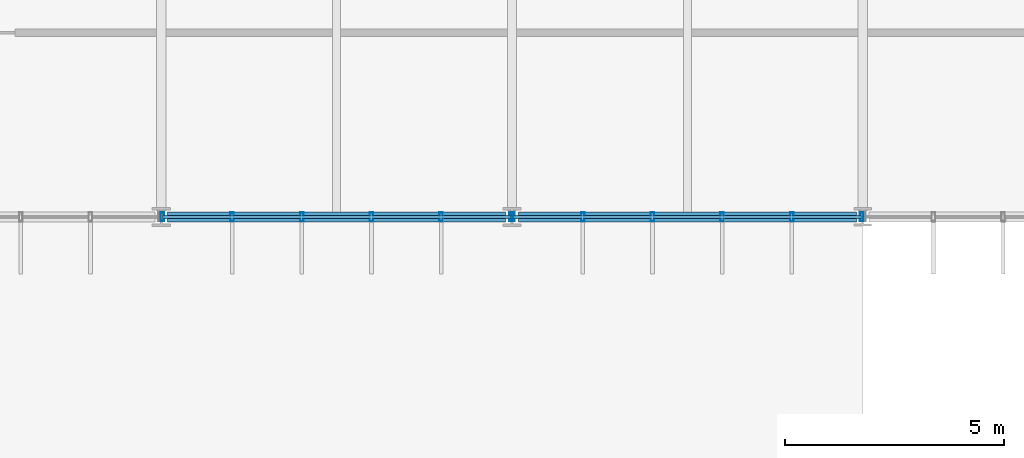
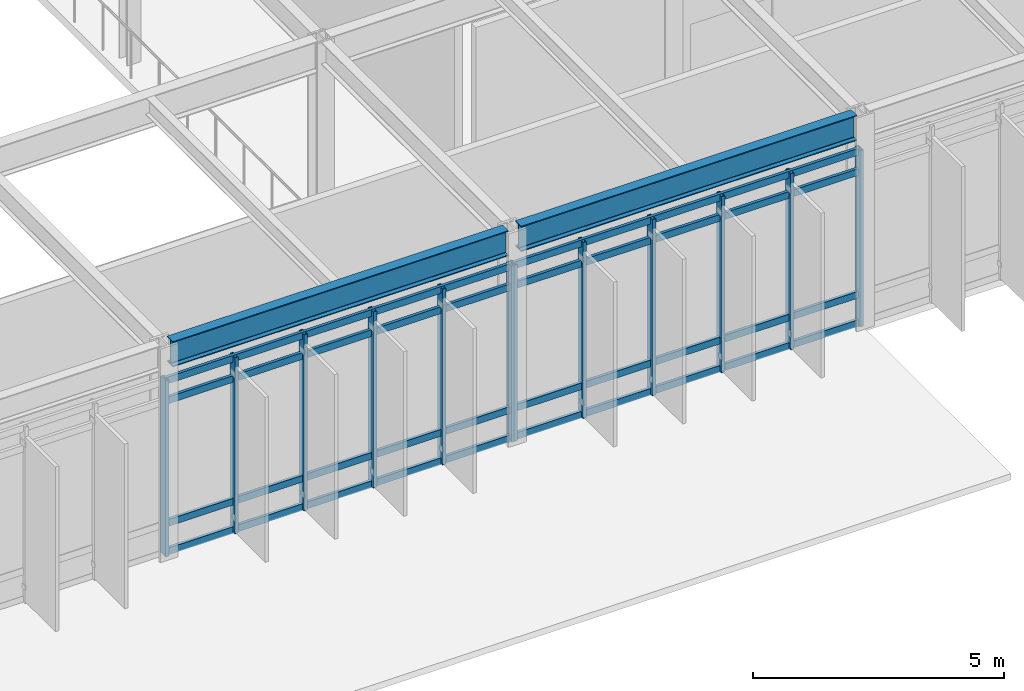
# One storey, part 37 of 94: 20 members, 2 beams, 2 elements without a shape of their own.
"""IFC4 building model written with IfcOpenShell, lengths in metres."""

import ifcopenshell
import ifcopenshell.guid

model = None  # the IFC model being written
_history = None  # IfcOwnerHistory: only IFC2X3 demands one
_inside = {}  # id of a spatial element -> (the spatial element, [elements in it])
_under = {}  # id of a project, library or spatial element -> (it, [spatial elements below it])
_declared = {}  # id of a project -> (the project, [libraries it declares])
_typed = {}  # id of a type object -> (the type object, [elements of that type])
_made_of = {}  # id of a material, layer set ... -> (it, [elements and type objects made of it])


def new_model(schema):
    """Start an empty IFC model of exactly this schema.

    Asked for "IFC4X3", IfcOpenShell would pick the latest addendum, in which some entities
    have other attributes; the version numbers below select the first issue.
    IFC2X3 requires an IfcOwnerHistory on every rooted entity: one is made here for all.
    """
    global model, _history
    if schema == "IFC4X3":
        model = ifcopenshell.file(schema_version=(4, 3, 0, 0))
    else:
        model = ifcopenshell.file(schema=schema)
    _inside.clear()
    _under.clear()
    _declared.clear()
    _typed.clear()
    _made_of.clear()
    _history = None
    if model.schema == "IFC2X3":
        org = make("IfcOrganization", Name="unknown")
        user = make(
            "IfcPersonAndOrganization",
            ThePerson=make("IfcPerson", FamilyName="unknown"),
            TheOrganization=org,
        )
        app = make(
            "IfcApplication",
            ApplicationDeveloper=org,
            Version="unknown",
            ApplicationFullName="unknown",
            ApplicationIdentifier="unknown",
        )
        _history = make(
            "IfcOwnerHistory",
            OwningUser=user,
            OwningApplication=app,
            ChangeAction="ADDED",
            CreationDate=0,
        )
    return model


def make(cls, **values):
    """One entity of the class cls with the attributes given. An attribute that is None is left unset."""
    return model.create_entity(
        cls, **{name: value for name, value in values.items() if value is not None}
    )


def rooted(cls, **values):
    """An entity with a GlobalId (a new one), such as an element, a storey or a relation."""
    return make(cls, GlobalId=ifcopenshell.guid.new(), OwnerHistory=_history, **values)


def si_unit(unit_type, name, prefix=None):
    """IfcSIUnit, for example si_unit("LENGTHUNIT", "METRE", prefix="MILLI")."""
    return make("IfcSIUnit", UnitType=unit_type, Prefix=prefix, Name=name)


def assignment(units):
    """IfcUnitAssignment: the units of a project."""
    return None if units is None else make("IfcUnitAssignment", Units=units)


def point(xyz):
    """IfcCartesianPoint."""
    return None if xyz is None else make("IfcCartesianPoint", Coordinates=xyz)


def direction(xyz):
    """IfcDirection."""
    return None if xyz is None else make("IfcDirection", DirectionRatios=xyz)


def frame(location, z_axis=None, x_axis=None):
    """IfcAxis2Placement3D, a coordinate frame: its origin and axes. An axis left out is left unset."""
    return make(
        "IfcAxis2Placement3D",
        Location=point(location),
        Axis=direction(z_axis),
        RefDirection=direction(x_axis),
    )


def frame_2d(location, x_axis=None):
    """IfcAxis2Placement2D, a coordinate frame in the plane: its origin and x axis."""
    return make(
        "IfcAxis2Placement2D", Location=point(location), RefDirection=direction(x_axis)
    )


def origin():
    """The frame at (0, 0, 0) with its axes left unset."""
    return frame((0.0, 0.0, 0.0))


def origin_2d():
    """The frame at (0, 0) in the plane with its x axis left unset."""
    return frame_2d((0.0, 0.0))


def place(relative_to, where):
    """IfcLocalPlacement: puts the frame where relative to a parent placement (None: the world)."""
    return make(
        "IfcLocalPlacement", PlacementRelTo=relative_to, RelativePlacement=where
    )


def context(
    kind, dimensions, precision=None, world=None, true_north=None, identifier=None
):
    """IfcGeometricRepresentationContext, for example the 3D "Model" context."""
    return make(
        "IfcGeometricRepresentationContext",
        ContextIdentifier=identifier,
        ContextType=kind,
        CoordinateSpaceDimension=dimensions,
        Precision=precision,
        WorldCoordinateSystem=world,
        TrueNorth=true_north,
    )


def subcontext(parent, identifier, kind, view, scale=None):
    """IfcGeometricRepresentationSubContext, for example "Body" below "Model"."""
    return make(
        "IfcGeometricRepresentationSubContext",
        ContextIdentifier=identifier,
        ContextType=kind,
        ParentContext=parent,
        TargetScale=scale,
        TargetView=view,
    )


def project(units=None, contexts=None):
    """IfcProject with its units and contexts."""
    return rooted(
        "IfcProject",
        Name="project",
        RepresentationContexts=contexts,
        UnitsInContext=assignment(units),
    )


def spatial(cls, under=None, at=None, **own):
    """A site, building, storey or space (cls), placed at a placement, below another one or the project."""
    s = rooted(cls, ObjectPlacement=at, **own)
    if under is not None:
        _under.setdefault(under.id(), (under, []))[1].append(s)
    return s


def profile(cls, at=None, kind="AREA", **sizes):
    """A parametric profile (cls). Its sizes go by their IFC names, for example OverallWidth=200.0."""
    return make(cls, ProfileType=kind, Position=at, **sizes)


def hollow_rectangle(**sizes):
    """IfcRectangleHollowProfileDef."""
    return profile("IfcRectangleHollowProfileDef", **sizes)


def i_section(**sizes):
    """IfcIShapeProfileDef."""
    return profile("IfcIShapeProfileDef", **sizes)


def extrude(swept, where, along, depth):
    """IfcExtrudedAreaSolid: the profile swept, set in the frame where, extruded along a direction by depth."""
    return make(
        "IfcExtrudedAreaSolid",
        SweptArea=swept,
        Position=where,
        ExtrudedDirection=direction(along),
        Depth=depth,
    )


def shape(context_of_items, identifier, shape_type, items):
    """IfcShapeRepresentation: the items that make up one representation, for example the "Body"."""
    return make(
        "IfcShapeRepresentation",
        ContextOfItems=context_of_items,
        RepresentationIdentifier=identifier,
        RepresentationType=shape_type,
        Items=items,
    )


def material(Name=None, Category=None):
    """IfcMaterial."""
    return make("IfcMaterial", Name=Name, Category=Category)


def material_profile(
    of_material, cross_section, Name=None, Category=None, Priority=None
):
    """IfcMaterialProfile: a cross section and its material."""
    return make(
        "IfcMaterialProfile",
        Name=Name,
        Material=of_material,
        Profile=cross_section,
        Priority=Priority,
        Category=Category,
    )


def profile_set(profiles, Name=None, composite=None):
    """IfcMaterialProfileSet."""
    return make(
        "IfcMaterialProfileSet",
        Name=Name,
        MaterialProfiles=profiles,
        CompositeProfile=composite,
    )


def made_of(thing, what):
    """Note that an element or type object is made of a material, layer set ...; save() writes the relation."""
    if what is not None:
        _made_of.setdefault(what.id(), (what, []))[1].append(thing)
    return thing


def type_object(cls, material=None, **own):
    """A type object (cls), such as IfcWallType, which elements share."""
    return made_of(rooted(cls, **own), material)


def element(
    cls,
    number,
    at=None,
    inside=None,
    cuts=None,
    type_object=None,
    material=None,
    context=None,
    identifier="Body",
    shape_type=None,
    held_by="IfcProductDefinitionShape",
    body=None,
    shapes=None,
    **own,
):
    """One element of the class cls, such as IfcWall. Its Tag is "e" and its number.

    at: its placement. inside: the storey or other place that contains it. cuts: it is an
    opening in that element (IfcRelVoidsElement). A single representation is given by context,
    identifier, shape_type and body (its items); several are given by shapes. held_by: the class
    of the entity that holds the representations. save() writes the other relations.
    """
    e = rooted(cls, Tag="e%d" % number, ObjectPlacement=at, **own)
    if body is not None:
        shapes = [shape(context, identifier, shape_type, body)]
    if shapes is not None:
        e.Representation = make(held_by, Representations=shapes)
    if inside is not None:
        _inside.setdefault(inside.id(), (inside, []))[1].append(e)
    if cuts is not None:
        rooted(
            "IfcRelVoidsElement", RelatingBuildingElement=cuts, RelatedOpeningElement=e
        )
    if type_object is not None:
        _typed.setdefault(type_object.id(), (type_object, []))[1].append(e)
    return made_of(e, material)


def aggregate(whole, parts):
    """IfcRelAggregates: a whole, such as a stair, and the parts it consists of."""
    return rooted("IfcRelAggregates", RelatingObject=whole, RelatedObjects=parts)


def save(model, path):
    """Write the relations noted so far, then the file.

    IfcRelAggregates (storeys below a building ...), IfcRelContainedInSpatialStructure (elements
    in a storey), IfcRelDefinesByType, IfcRelAssociatesMaterial and IfcRelDeclares: one each for
    every whole, place, type object, material and project.
    """
    for whole, parts in _under.values():
        aggregate(whole, parts)
    for where, things in _inside.values():
        rooted(
            "IfcRelContainedInSpatialStructure",
            RelatedElements=things,
            RelatingStructure=where,
        )
    for kind, things in _typed.values():
        rooted("IfcRelDefinesByType", RelatedObjects=things, RelatingType=kind)
    for what, things in _made_of.values():
        rooted("IfcRelAssociatesMaterial", RelatedObjects=things, RelatingMaterial=what)
    for by, libraries in _declared.values():
        rooted("IfcRelDeclares", RelatingContext=by, RelatedDefinitions=libraries)
    model.write(path)


model = new_model("IFC4")

# Units and contexts
model_context = context("Model", 3, precision=1e-05, world=origin(), true_north=direction((0.0, 1.0)))
body_context = subcontext(model_context, "Body", "Model", "MODEL_VIEW")
ifc_project = project(units=[si_unit("LENGTHUNIT", "METRE"), si_unit("AREAUNIT", "SQUARE_METRE"), si_unit("VOLUMEUNIT", "CUBIC_METRE"), si_unit("PLANEANGLEUNIT", "RADIAN"), si_unit("MASSUNIT", "GRAM", prefix="KILO")], contexts=[model_context])

# Site, building, storey
site_placement = place(None, origin())
site = spatial("IfcSite", under=ifc_project, at=site_placement, CompositionType="ELEMENT")
building_placement = place(site_placement, origin())
building = spatial("IfcBuilding", under=site, at=building_placement, Name="Zulena Civic Courthouse", CompositionType="ELEMENT")
storey_placement = place(building_placement, frame((0.0, 0.0, 5.39990234375)))
storey = spatial("IfcBuildingStorey", under=building, at=storey_placement, Name="L01", CompositionType="ELEMENT", Elevation=5.39990234375)

# Curtain wall, members
ifc_material_1 = material(Name="Double-silver low-E laminated solar-control glass", Category="glass")
curtain_wall_type = type_object("IfcCurtainWallType", Name="CW_7952x4280", PredefinedType="USERDEFINED", material=ifc_material_1)
curtain_wall_1_placement = place(storey_placement, origin())
curtain_wall_1 = element("IfcCurtainWall", 1, at=curtain_wall_1_placement, inside=storey, type_object=curtain_wall_type, Name="cw:V4:L01:3:1", ObjectType="UNITISED CURTAIN WALL", PredefinedType="USERDEFINED")
ifc_material_2 = material(Name="Bronze anodised thermally broken aluminium AA6063-T6", Category="aluminium")
ifc_material_profile_1 = material_profile(ifc_material_2, hollow_rectangle(XDim=0.080078125, YDim=0.199951171875, WallThickness=0.0048828125, at=origin_2d()), Name="CWM200X80X5")
ifc_profile_set_1 = profile_set([ifc_material_profile_1], Name="Bronze anodised thermally broken aluminium AA6063-T6")
member_type_1 = type_object("IfcMemberType", Name="CWMullion_200x80", PredefinedType="MULLION", material=ifc_profile_set_1)
member_1_placement = place(storey_placement, frame((115.97607421875, 15.199951171875, 0.0), z_axis=(0.0, 0.0, 1.0), x_axis=(1.0, 0.0, 0.0)))
member_1 = element("IfcMember", 2, at=member_1_placement, type_object=member_type_1, Name="cw:V4:L01:3:1:mull:0", PredefinedType="MULLION", context=body_context, shape_type="SweptSolid", body=[
    extrude(hollow_rectangle(XDim=0.080078125, YDim=0.199951171875, WallThickness=0.0048828125, at=origin_2d()), origin(), (0.0, 0.0, 1.0), 4.280029296875),
])
member_2_placement = place(storey_placement, frame((114.385498046875, 15.199951171875, 0.0), z_axis=(0.0, 0.0, 1.0), x_axis=(1.0, 0.0, 0.0)))
member_2 = element("IfcMember", 3, at=member_2_placement, type_object=member_type_1, Name="cw:V4:L01:3:1:mull:1", PredefinedType="MULLION", context=body_context, shape_type="SweptSolid", body=[
    extrude(hollow_rectangle(XDim=0.080078125, YDim=0.199951171875, WallThickness=0.0048828125, at=origin_2d()), origin(), (0.0, 0.0, 1.0), 4.280029296875),
])
member_3_placement = place(storey_placement, frame((112.795166015625, 15.199951171875, 0.0), z_axis=(0.0, 0.0, 1.0), x_axis=(1.0, 0.0, 0.0)))
member_3 = element("IfcMember", 4, at=member_3_placement, type_object=member_type_1, Name="cw:V4:L01:3:1:mull:2", PredefinedType="MULLION", context=body_context, shape_type="SweptSolid", body=[
    extrude(hollow_rectangle(XDim=0.080078125, YDim=0.199951171875, WallThickness=0.0048828125, at=origin_2d()), origin(), (0.0, 0.0, 1.0), 4.280029296875),
])
member_4_placement = place(storey_placement, frame((111.204833984375, 15.199951171875, 0.0), z_axis=(0.0, 0.0, 1.0), x_axis=(1.0, 0.0, 0.0)))
member_4 = element("IfcMember", 5, at=member_4_placement, type_object=member_type_1, Name="cw:V4:L01:3:1:mull:3", PredefinedType="MULLION", context=body_context, shape_type="SweptSolid", body=[
    extrude(hollow_rectangle(XDim=0.080078125, YDim=0.199951171875, WallThickness=0.0048828125, at=origin_2d()), origin(), (0.0, 0.0, 1.0), 4.280029296875),
])
member_5_placement = place(storey_placement, frame((109.614501953125, 15.199951171875, 0.0), z_axis=(0.0, 0.0, 1.0), x_axis=(1.0, 0.0, 0.0)))
member_5 = element("IfcMember", 6, at=member_5_placement, type_object=member_type_1, Name="cw:V4:L01:3:1:mull:4", PredefinedType="MULLION", context=body_context, shape_type="SweptSolid", body=[
    extrude(hollow_rectangle(XDim=0.080078125, YDim=0.199951171875, WallThickness=0.0048828125, at=origin_2d()), origin(), (0.0, 0.0, 1.0), 4.280029296875),
])
member_6_placement = place(storey_placement, frame((108.02392578125, 15.199951171875, 0.0), z_axis=(0.0, 0.0, 1.0), x_axis=(1.0, 0.0, 0.0)))
member_6 = element("IfcMember", 7, at=member_6_placement, type_object=member_type_1, Name="cw:V4:L01:3:1:mull:5", PredefinedType="MULLION", context=body_context, shape_type="SweptSolid", body=[
    extrude(hollow_rectangle(XDim=0.080078125, YDim=0.199951171875, WallThickness=0.0048828125, at=origin_2d()), origin(), (0.0, 0.0, 1.0), 4.280029296875),
])

curtain_wall_2_placement = place(storey_placement, origin())
curtain_wall_2 = element("IfcCurtainWall", 8, at=curtain_wall_2_placement, inside=storey, type_object=curtain_wall_type, Name="cw:V4:L01:3:2", ObjectType="UNITISED CURTAIN WALL", PredefinedType="USERDEFINED")
member_7_placement = place(storey_placement, frame((107.97607421875, 15.199951171875, 0.0), z_axis=(0.0, 0.0, 1.0), x_axis=(1.0, 0.0, 0.0)))
member_7 = element("IfcMember", 9, at=member_7_placement, type_object=member_type_1, Name="cw:V4:L01:3:2:mull:0", PredefinedType="MULLION", context=body_context, shape_type="SweptSolid", body=[
    extrude(hollow_rectangle(XDim=0.080078125, YDim=0.199951171875, WallThickness=0.0048828125, at=origin_2d()), origin(), (0.0, 0.0, 1.0), 4.280029296875),
])
member_8_placement = place(storey_placement, frame((106.385498046875, 15.199951171875, 0.0), z_axis=(0.0, 0.0, 1.0), x_axis=(1.0, 0.0, 0.0)))
member_8 = element("IfcMember", 10, at=member_8_placement, type_object=member_type_1, Name="cw:V4:L01:3:2:mull:1", PredefinedType="MULLION", context=body_context, shape_type="SweptSolid", body=[
    extrude(hollow_rectangle(XDim=0.080078125, YDim=0.199951171875, WallThickness=0.0048828125, at=origin_2d()), origin(), (0.0, 0.0, 1.0), 4.280029296875),
])
member_9_placement = place(storey_placement, frame((104.795166015625, 15.199951171875, 0.0), z_axis=(0.0, 0.0, 1.0), x_axis=(1.0, 0.0, 0.0)))
member_9 = element("IfcMember", 11, at=member_9_placement, type_object=member_type_1, Name="cw:V4:L01:3:2:mull:2", PredefinedType="MULLION", context=body_context, shape_type="SweptSolid", body=[
    extrude(hollow_rectangle(XDim=0.080078125, YDim=0.199951171875, WallThickness=0.0048828125, at=origin_2d()), origin(), (0.0, 0.0, 1.0), 4.280029296875),
])
member_10_placement = place(storey_placement, frame((103.204833984375, 15.199951171875, 0.0), z_axis=(0.0, 0.0, 1.0), x_axis=(1.0, 0.0, 0.0)))
member_10 = element("IfcMember", 12, at=member_10_placement, type_object=member_type_1, Name="cw:V4:L01:3:2:mull:3", PredefinedType="MULLION", context=body_context, shape_type="SweptSolid", body=[
    extrude(hollow_rectangle(XDim=0.080078125, YDim=0.199951171875, WallThickness=0.0048828125, at=origin_2d()), origin(), (0.0, 0.0, 1.0), 4.280029296875),
])
member_11_placement = place(storey_placement, frame((101.614501953125, 15.199951171875, 0.0), z_axis=(0.0, 0.0, 1.0), x_axis=(1.0, 0.0, 0.0)))
member_11 = element("IfcMember", 13, at=member_11_placement, type_object=member_type_1, Name="cw:V4:L01:3:2:mull:4", PredefinedType="MULLION", context=body_context, shape_type="SweptSolid", body=[
    extrude(hollow_rectangle(XDim=0.080078125, YDim=0.199951171875, WallThickness=0.0048828125, at=origin_2d()), origin(), (0.0, 0.0, 1.0), 4.280029296875),
])
member_12_placement = place(storey_placement, frame((100.02392578125, 15.199951171875, 0.0), z_axis=(0.0, 0.0, 1.0), x_axis=(1.0, 0.0, 0.0)))
member_12 = element("IfcMember", 14, at=member_12_placement, type_object=member_type_1, Name="cw:V4:L01:3:2:mull:5", PredefinedType="MULLION", context=body_context, shape_type="SweptSolid", body=[
    extrude(hollow_rectangle(XDim=0.080078125, YDim=0.199951171875, WallThickness=0.0048828125, at=origin_2d()), origin(), (0.0, 0.0, 1.0), 4.280029296875),
])

# Member
ifc_material_profile_2 = material_profile(ifc_material_2, hollow_rectangle(XDim=0.070068359375, YDim=0.1650390625, WallThickness=0.00390625, at=origin_2d()), Name="CWT165X70X4")
ifc_profile_set_2 = profile_set([ifc_material_profile_2], Name="Bronze anodised thermally broken aluminium AA6063-T6")
member_type_2 = type_object("IfcMemberType", Name="CWTransom_165x70", PredefinedType="USERDEFINED", material=ifc_profile_set_2)
member_13_placement = place(storey_placement, frame((115.97607421875, 15.199951171875, 0.06005859375), z_axis=(-1.0, 0.0, 0.0), x_axis=(0.0, -1.0, 0.0)))
member_13 = element("IfcMember", 15, at=member_13_placement, type_object=member_type_2, Name="cw:V4:L01:3:1:tran:0", ObjectType="TRANSOM", PredefinedType="USERDEFINED", context=body_context, shape_type="SweptSolid", body=[
    extrude(hollow_rectangle(XDim=0.070068359375, YDim=0.1650390625, WallThickness=0.00390625, at=origin_2d()), origin(), (0.0, 0.0, 1.0), 7.9521484375),
])

member_14_placement = place(storey_placement, frame((115.97607421875, 15.199951171875, 0.75), z_axis=(-1.0, 0.0, 0.0), x_axis=(0.0, -1.0, 0.0)))
member_14 = element("IfcMember", 16, at=member_14_placement, type_object=member_type_2, Name="cw:V4:L01:3:1:tran:1", ObjectType="TRANSOM", PredefinedType="USERDEFINED", context=body_context, shape_type="SweptSolid", body=[
    extrude(hollow_rectangle(XDim=0.070068359375, YDim=0.1650390625, WallThickness=0.00390625, at=origin_2d()), origin(), (0.0, 0.0, 1.0), 7.9521484375),
])

member_15_placement = place(storey_placement, frame((115.97607421875, 15.199951171875, 3.72998046875), z_axis=(-1.0, 0.0, 0.0), x_axis=(0.0, -1.0, 0.0)))
member_15 = element("IfcMember", 17, at=member_15_placement, type_object=member_type_2, Name="cw:V4:L01:3:1:tran:2", ObjectType="TRANSOM", PredefinedType="USERDEFINED", context=body_context, shape_type="SweptSolid", body=[
    extrude(hollow_rectangle(XDim=0.070068359375, YDim=0.1650390625, WallThickness=0.00390625, at=origin_2d()), origin(), (0.0, 0.0, 1.0), 7.9521484375),
])

member_16_placement = place(storey_placement, frame((115.97607421875, 15.199951171875, 4.22021484375), z_axis=(-1.0, 0.0, 0.0), x_axis=(0.0, -1.0, 0.0)))
member_16 = element("IfcMember", 18, at=member_16_placement, type_object=member_type_2, Name="cw:V4:L01:3:1:tran:3", ObjectType="TRANSOM", PredefinedType="USERDEFINED", context=body_context, shape_type="SweptSolid", body=[
    extrude(hollow_rectangle(XDim=0.070068359375, YDim=0.1650390625, WallThickness=0.00390625, at=origin_2d()), origin(), (0.0, 0.0, 1.0), 7.9521484375),
])

aggregate(curtain_wall_1, [member_1, member_2, member_3, member_4, member_5, member_6, member_13, member_14, member_15, member_16])

member_17_placement = place(storey_placement, frame((107.97607421875, 15.199951171875, 0.06005859375), z_axis=(-1.0, 0.0, 0.0), x_axis=(0.0, -1.0, 0.0)))
member_17 = element("IfcMember", 19, at=member_17_placement, type_object=member_type_2, Name="cw:V4:L01:3:2:tran:0", ObjectType="TRANSOM", PredefinedType="USERDEFINED", context=body_context, shape_type="SweptSolid", body=[
    extrude(hollow_rectangle(XDim=0.070068359375, YDim=0.1650390625, WallThickness=0.00390625, at=origin_2d()), origin(), (0.0, 0.0, 1.0), 7.9521484375),
])

member_18_placement = place(storey_placement, frame((107.97607421875, 15.199951171875, 0.75), z_axis=(-1.0, 0.0, 0.0), x_axis=(0.0, -1.0, 0.0)))
member_18 = element("IfcMember", 20, at=member_18_placement, type_object=member_type_2, Name="cw:V4:L01:3:2:tran:1", ObjectType="TRANSOM", PredefinedType="USERDEFINED", context=body_context, shape_type="SweptSolid", body=[
    extrude(hollow_rectangle(XDim=0.070068359375, YDim=0.1650390625, WallThickness=0.00390625, at=origin_2d()), origin(), (0.0, 0.0, 1.0), 7.9521484375),
])

member_19_placement = place(storey_placement, frame((107.97607421875, 15.199951171875, 3.72998046875), z_axis=(-1.0, 0.0, 0.0), x_axis=(0.0, -1.0, 0.0)))
member_19 = element("IfcMember", 21, at=member_19_placement, type_object=member_type_2, Name="cw:V4:L01:3:2:tran:2", ObjectType="TRANSOM", PredefinedType="USERDEFINED", context=body_context, shape_type="SweptSolid", body=[
    extrude(hollow_rectangle(XDim=0.070068359375, YDim=0.1650390625, WallThickness=0.00390625, at=origin_2d()), origin(), (0.0, 0.0, 1.0), 7.9521484375),
])

member_20_placement = place(storey_placement, frame((107.97607421875, 15.199951171875, 4.22021484375), z_axis=(-1.0, 0.0, 0.0), x_axis=(0.0, -1.0, 0.0)))
member_20 = element("IfcMember", 22, at=member_20_placement, type_object=member_type_2, Name="cw:V4:L01:3:2:tran:3", ObjectType="TRANSOM", PredefinedType="USERDEFINED", context=body_context, shape_type="SweptSolid", body=[
    extrude(hollow_rectangle(XDim=0.070068359375, YDim=0.1650390625, WallThickness=0.00390625, at=origin_2d()), origin(), (0.0, 0.0, 1.0), 7.9521484375),
])

aggregate(curtain_wall_2, [member_7, member_8, member_9, member_10, member_11, member_12, member_17, member_18, member_19, member_20])

# Beams
ifc_material_3 = material(Name="Steel ASTM A992 Grade 50", Category="steel")
ifc_material_profile_3 = material_profile(ifc_material_3, i_section(OverallWidth=0.22998046875, OverallDepth=0.616943359375, WebThickness=0.01318359375, FlangeThickness=0.022216796875, FilletRadius=0.0126953125, at=origin_2d()), Name="W24X94")
ifc_profile_set_3 = profile_set([ifc_material_profile_3], Name="Steel ASTM A992 Grade 50")
beam_type = type_object("IfcBeamType", Name="Spandrel_W24X94", PredefinedType="SPANDREL", material=ifc_profile_set_3)
for number, where, z_axis, x_axis, name in (
    (23, (100.14501953125, 15.199951171875, 4.876708984375), (1.0, 0.0, 0.0), (0.0, 1.0, 0.0), "beam:X:V4:L01:15.2:100.0_108.0"),
    (24, (108.14501953125, 15.199951171875, 4.876708984375), (1.0, 0.0, 0.0), (0.0, 1.0, 0.0), "beam:X:V4:L01:15.2:108.0_116.0"),
):
    element("IfcBeam", number, at=place(storey_placement, frame(where, z_axis=z_axis, x_axis=x_axis)), inside=storey, type_object=beam_type, Name=name, PredefinedType="SPANDREL", context=body_context, shape_type="SweptSolid", body=[
        extrude(i_section(OverallWidth=0.22998046875, OverallDepth=0.616943359375, WebThickness=0.01318359375, FlangeThickness=0.022216796875, FilletRadius=0.0126953125, at=origin_2d()), origin(), (0.0, 0.0, 1.0), 7.7099609375),
    ])

save(model, "model.ifc")
